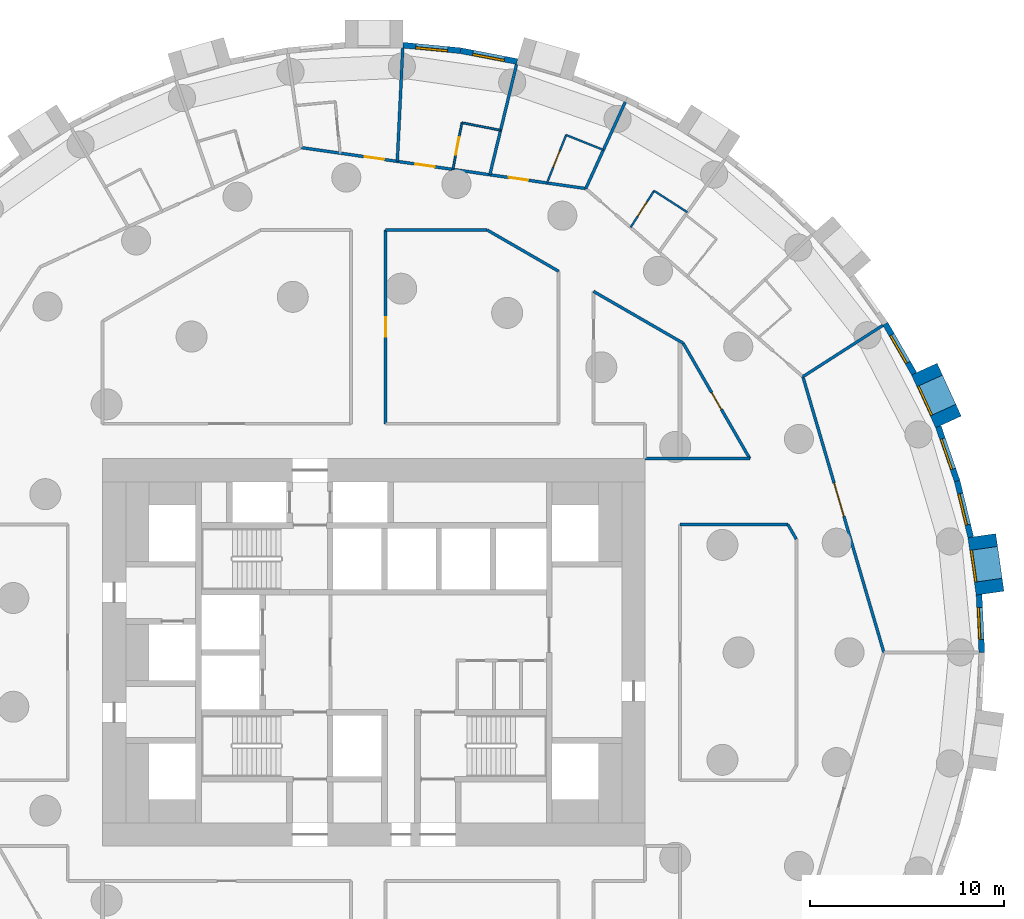
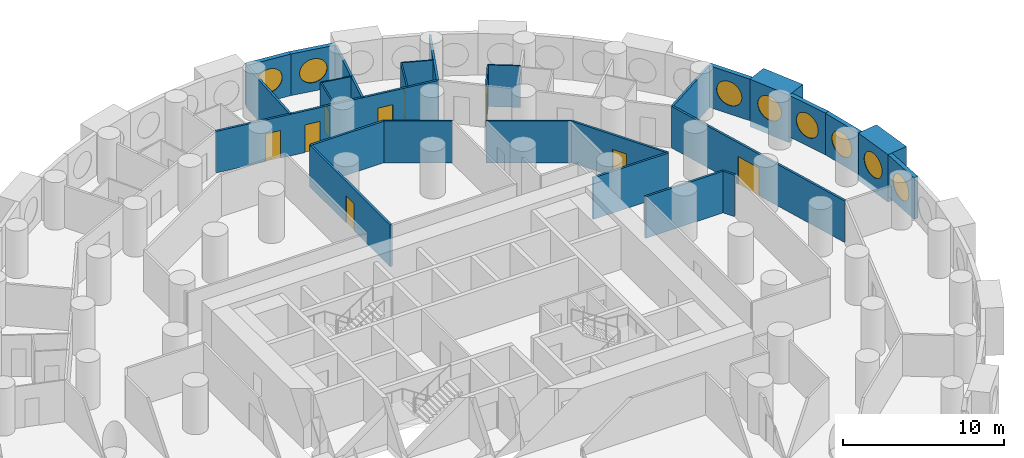
# One storey, part 9 of 12: 28 walls, 9 doors, 8 windows, 17 openings.
"""IFC4 building model written with IfcOpenShell, lengths in metres."""

from ifc_helpers import new_model, si_unit, direction, frame, frame_2d, origin, origin_2d, place, context, subcontext, project, spatial, rectangle, circle, extrude, material, layer, layer_set, type_object, element, fill, save


model = new_model("IFC4")

# Units and contexts
model_context = context("Model", 3, precision=1e-05, world=origin(), true_north=direction((0.0, 1.0)))
body_context = subcontext(model_context, "Body", "Model", "MODEL_VIEW")
ifc_project = project(units=[si_unit("LENGTHUNIT", "METRE"), si_unit("AREAUNIT", "SQUARE_METRE"), si_unit("VOLUMEUNIT", "CUBIC_METRE"), si_unit("PLANEANGLEUNIT", "RADIAN"), si_unit("MASSUNIT", "GRAM", prefix="KILO")], contexts=[model_context])

# Site, building, storey
site_placement = place(None, origin())
site = spatial("IfcSite", under=ifc_project, at=site_placement, CompositionType="ELEMENT")
building_placement = place(site_placement, origin())
building = spatial("IfcBuilding", under=site, at=building_placement, Name="Tracery Tower", CompositionType="ELEMENT")
storey_placement = place(building_placement, frame((0.0, 0.0, 57.0)))
storey = spatial("IfcBuildingStorey", under=building, at=storey_placement, Name="L13", CompositionType="ELEMENT", Elevation=57.0)

# Wall, opening, window
ifc_material_1 = material(Name="Precast concrete C50/60", Category="concrete")
ifc_layer_1 = layer(ifc_material_1, 1.449951171875)
ifc_layer_set_1 = layer_set([ifc_layer_1], Name="Deep-set bay unit 3000 x 3600, slab edge 450")
wall_type_1 = type_object("IfcWallType", Name="Deep-set bay unit 3000 x 3600, slab edge 450", PredefinedType="ELEMENTEDWALL", material=ifc_layer_set_1)
wall_1_placement = place(storey_placement, frame((31.802490234375, 3.05712890625, -0.449951171875), z_axis=(0.0, 0.0, 1.0), x_axis=(-0.142332746704, 0.989818866872, 0.0)))
wall_1 = element("IfcWall", 1, at=wall_1_placement, inside=storey, type_object=wall_type_1, Name="Deep-set bay unit 2 at L13", PredefinedType="ELEMENTEDWALL", context=body_context, shape_type="SweptSolid", body=[
    extrude(rectangle(XDim=3.0, YDim=1.449951171875, at=frame_2d((1.5, 0.0))), origin(), (0.0, 0.0, 1.0), 3.599853515625),
])
opening_1_placement = place(wall_1_placement, frame((1.5, 0.0, 2.0)))
opening_1 = element("IfcOpeningElement", 2, at=opening_1_placement, cuts=wall_1, Name="Opening WN1", PredefinedType="OPENING", context=body_context, shape_type="SweptSolid", body=[
    extrude(circle(Radius=0.9000244140625, at=origin_2d()), frame((0.0, 0.73486328125, 0.0), z_axis=(0.0, -1.0, 0.0), x_axis=(1.0, 0.0, 0.0)), (0.0, 0.0, 1.0), 1.469970703125),
])
ifc_material_2 = material(Name="Aluminium frame with tinted double glazing", Category="aluminium")
window_type = type_object("IfcWindowType", Name="Round window 1800", PartitioningType="SINGLE_PANEL", PredefinedType="WINDOW", material=ifc_material_2)
window_1_placement = place(opening_1_placement, origin())
window_1 = element("IfcWindow", 3, at=window_1_placement, inside=storey, type_object=window_type, Name="Round window 2 at L13", OverallHeight=1.800048828125, OverallWidth=1.800048828125, PartitioningType="SINGLE_PANEL", PredefinedType="WINDOW", context=body_context, shape_type="SweptSolid", body=[
    extrude(circle(Radius=0.9000244140625, at=origin_2d()), frame((0.0, 0.69482421875, 0.0), z_axis=(0.0, -1.0, 0.0), x_axis=(1.0, 0.0, 0.0)), (0.0, 0.0, 1.0), 0.10009765625),
])
fill(opening_1, window_1)

wall_2_placement = place(storey_placement, frame((29.653076171875, 11.89306640625, -0.449951171875), z_axis=(0.0, 0.0, 1.0), x_axis=(-0.415427028395, 0.909626508012, 0.0)))
wall_2 = element("IfcWall", 4, at=wall_2_placement, inside=storey, type_object=wall_type_1, Name="Deep-set bay unit 5 at L13", PredefinedType="ELEMENTEDWALL", context=body_context, shape_type="SweptSolid", body=[
    extrude(rectangle(XDim=3.000244140625, YDim=1.449951171875, at=frame_2d((1.5, 0.0))), origin(), (0.0, 0.0, 1.0), 3.599853515625),
])
opening_2_placement = place(wall_2_placement, frame((1.5, 0.0, 2.0)))
opening_2 = element("IfcOpeningElement", 5, at=opening_2_placement, cuts=wall_2, Name="Opening WN1", PredefinedType="OPENING", context=body_context, shape_type="SweptSolid", body=[
    extrude(circle(Radius=0.9000244140625, at=origin_2d()), frame((0.0, 0.73486328125, 0.0), z_axis=(0.0, -1.0, 0.0), x_axis=(1.0, 0.0, 0.0)), (0.0, 0.0, 1.0), 1.469970703125),
])
window_2_placement = place(opening_2_placement, origin())
window_2 = element("IfcWindow", 6, at=window_2_placement, inside=storey, type_object=window_type, Name="Round window 5 at L13", OverallHeight=1.800048828125, OverallWidth=1.800048828125, PartitioningType="SINGLE_PANEL", PredefinedType="WINDOW", context=body_context, shape_type="SweptSolid", body=[
    extrude(circle(Radius=0.9000244140625, at=origin_2d()), frame((0.0, 0.69482421875, 0.0), z_axis=(0.0, -1.0, 0.0), x_axis=(1.0, 0.0, 0.0)), (0.0, 0.0, 1.0), 0.10009765625),
])
fill(opening_2, window_2)

ifc_material_3 = material(Name="Precast concrete C50/60", Category="concrete")
ifc_layer_2 = layer(ifc_material_3, 0.300048828125)
ifc_layer_set_2 = layer_set([ifc_layer_2], Name="Facade panel 3000 x 3150")
wall_type_2 = type_object("IfcWallType", Name="Facade panel 3000 x 3150", PredefinedType="SOLIDWALL", material=ifc_layer_set_2)
wall_3_placement = place(storey_placement, frame((31.37451171875, 0.0, 0.0), z_axis=(0.0, 0.0, 1.0), x_axis=(-0.047604077644, 0.998866283239, 0.0)))
wall_3 = element("IfcWall", 7, at=wall_3_placement, inside=storey, type_object=wall_type_2, Name="Facade panel 1 at L13", PredefinedType="SOLIDWALL", context=body_context, shape_type="SweptSolid", body=[
    extrude(rectangle(XDim=2.979736328125, YDim=0.300048828125, at=frame_2d((1.48974609375, 0.0))), origin(), (0.0, 0.0, 1.0), 3.14990234375),
])
opening_3_placement = place(wall_3_placement, frame((1.48974609375, 0.0, 1.5498046875)))
opening_3 = element("IfcOpeningElement", 8, at=opening_3_placement, cuts=wall_3, Name="Opening WN1", PredefinedType="OPENING", context=body_context, shape_type="SweptSolid", body=[
    extrude(circle(Radius=0.9000244140625, at=origin_2d()), frame((0.0, 0.159912109375, 0.0), z_axis=(0.0, -1.0, 0.0), x_axis=(1.0, 0.0, 0.0)), (0.0, 0.0, 1.0), 0.320068359375),
])
window_3_placement = place(opening_3_placement, origin())
window_3 = element("IfcWindow", 9, at=window_3_placement, inside=storey, type_object=window_type, Name="Round window 1 at L13", OverallHeight=1.800048828125, OverallWidth=1.800048828125, PartitioningType="SINGLE_PANEL", PredefinedType="WINDOW", context=body_context, shape_type="SweptSolid", body=[
    extrude(circle(Radius=0.9000244140625, at=origin_2d()), frame((0.0, 0.1201171875, 0.0), z_axis=(0.0, -1.0, 0.0), x_axis=(1.0, 0.0, 0.0)), (0.0, 0.0, 1.0), 0.10009765625),
])
fill(opening_3, window_3)

wall_4_placement = place(storey_placement, frame((30.805908203125, 5.943603515625, 0.0), z_axis=(0.0, 0.0, 1.0), x_axis=(-0.235743081534, 0.971815414319, 0.0)))
wall_4 = element("IfcWall", 10, at=wall_4_placement, inside=storey, type_object=wall_type_2, Name="Facade panel 3 at L13", PredefinedType="SOLIDWALL", context=body_context, shape_type="SweptSolid", body=[
    extrude(rectangle(XDim=2.9794921875, YDim=0.300048828125, at=frame_2d((1.48974609375, 0.0))), origin(), (0.0, 0.0, 1.0), 3.14990234375),
])
opening_4_placement = place(wall_4_placement, frame((1.48974609375, 0.0, 1.5498046875)))
opening_4 = element("IfcOpeningElement", 11, at=opening_4_placement, cuts=wall_4, Name="Opening WN1", PredefinedType="OPENING", context=body_context, shape_type="SweptSolid", body=[
    extrude(circle(Radius=0.9000244140625, at=origin_2d()), frame((0.0, 0.159912109375, 0.0), z_axis=(0.0, -1.0, 0.0), x_axis=(1.0, 0.0, 0.0)), (0.0, 0.0, 1.0), 0.320068359375),
])
window_4_placement = place(opening_4_placement, origin())
window_4 = element("IfcWindow", 12, at=window_4_placement, inside=storey, type_object=window_type, Name="Round window 3 at L13", OverallHeight=1.800048828125, OverallWidth=1.800048828125, PartitioningType="SINGLE_PANEL", PredefinedType="WINDOW", context=body_context, shape_type="SweptSolid", body=[
    extrude(circle(Radius=0.9000244140625, at=origin_2d()), frame((0.0, 0.1201171875, 0.0), z_axis=(0.0, -1.0, 0.0), x_axis=(1.0, 0.0, 0.0)), (0.0, 0.0, 1.0), 0.10009765625),
])
fill(opening_4, window_4)

wall_5_placement = place(storey_placement, frame((30.103515625, 8.839111328125, 0.0), z_axis=(0.0, 0.0, 1.0), x_axis=(-0.327071167136, 0.944999709856, 0.0)))
wall_5 = element("IfcWall", 13, at=wall_5_placement, inside=storey, type_object=wall_type_2, Name="Facade panel 4 at L13", PredefinedType="SOLIDWALL", context=body_context, shape_type="SweptSolid", body=[
    extrude(rectangle(XDim=2.979736328125, YDim=0.300048828125, at=frame_2d((1.48974609375, 0.0))), origin(), (0.0, 0.0, 1.0), 3.14990234375),
])
opening_5_placement = place(wall_5_placement, frame((1.48974609375, 0.0, 1.5498046875)))
opening_5 = element("IfcOpeningElement", 14, at=opening_5_placement, cuts=wall_5, Name="Opening WN1", PredefinedType="OPENING", context=body_context, shape_type="SweptSolid", body=[
    extrude(circle(Radius=0.9000244140625, at=origin_2d()), frame((0.0, 0.159912109375, 0.0), z_axis=(0.0, -1.0, 0.0), x_axis=(1.0, 0.0, 0.0)), (0.0, 0.0, 1.0), 0.320068359375),
])
window_5_placement = place(opening_5_placement, origin())
window_5 = element("IfcWindow", 15, at=window_5_placement, inside=storey, type_object=window_type, Name="Round window 4 at L13", OverallHeight=1.800048828125, OverallWidth=1.800048828125, PartitioningType="SINGLE_PANEL", PredefinedType="WINDOW", context=body_context, shape_type="SweptSolid", body=[
    extrude(circle(Radius=0.9000244140625, at=origin_2d()), frame((0.0, 0.1201171875, 0.0), z_axis=(0.0, -1.0, 0.0), x_axis=(1.0, 0.0, 0.0)), (0.0, 0.0, 1.0), 0.10009765625),
])
fill(opening_5, window_5)

wall_6_placement = place(storey_placement, frame((27.8837890625, 14.3818359375, 0.0), z_axis=(0.0, 0.0, 1.0), x_axis=(-0.500025049464, 0.866010940986, 0.0)))
wall_6 = element("IfcWall", 16, at=wall_6_placement, inside=storey, type_object=wall_type_2, Name="Facade panel 6 at L13", PredefinedType="SOLIDWALL", context=body_context, shape_type="SweptSolid", body=[
    extrude(rectangle(XDim=2.979736328125, YDim=0.300048828125, at=frame_2d((1.48974609375, 0.0))), origin(), (0.0, 0.0, 1.0), 3.14990234375),
])
opening_6_placement = place(wall_6_placement, frame((1.48974609375, 0.0, 1.5498046875)))
opening_6 = element("IfcOpeningElement", 17, at=opening_6_placement, cuts=wall_6, Name="Opening WN1", PredefinedType="OPENING", context=body_context, shape_type="SweptSolid", body=[
    extrude(circle(Radius=0.9000244140625, at=origin_2d()), frame((0.0, 0.159912109375, 0.0), z_axis=(0.0, -1.0, 0.0), x_axis=(1.0, 0.0, 0.0)), (0.0, 0.0, 1.0), 0.320068359375),
])
window_6_placement = place(opening_6_placement, origin())
window_6 = element("IfcWindow", 18, at=window_6_placement, inside=storey, type_object=window_type, Name="Round window 6 at L13", OverallHeight=1.800048828125, OverallWidth=1.800048828125, PartitioningType="SINGLE_PANEL", PredefinedType="WINDOW", context=body_context, shape_type="SweptSolid", body=[
    extrude(circle(Radius=0.9000244140625, at=origin_2d()), frame((0.0, 0.1201171875, 0.0), z_axis=(0.0, -1.0, 0.0), x_axis=(1.0, 0.0, 0.0)), (0.0, 0.0, 1.0), 0.10009765625),
])
fill(opening_6, window_6)

wall_7_placement = place(storey_placement, frame((7.390869140625, 30.4912109375, 0.0), z_axis=(0.0, 0.0, 1.0), x_axis=(-0.981924535406, 0.189272836848, 0.0)))
wall_7 = element("IfcWall", 19, at=wall_7_placement, inside=storey, type_object=wall_type_2, Name="Facade panel 15 at L13", PredefinedType="SOLIDWALL", context=body_context, shape_type="SweptSolid", body=[
    extrude(rectangle(XDim=2.979736328125, YDim=0.300048828125, at=frame_2d((1.48974609375, 0.0))), origin(), (0.0, 0.0, 1.0), 3.14990234375),
])
opening_7_placement = place(wall_7_placement, frame((1.48974609375, 0.0, 1.5498046875)))
opening_7 = element("IfcOpeningElement", 20, at=opening_7_placement, cuts=wall_7, Name="Opening WN1", PredefinedType="OPENING", context=body_context, shape_type="SweptSolid", body=[
    extrude(circle(Radius=0.9000244140625, at=origin_2d()), frame((0.0, 0.159912109375, 0.0), z_axis=(0.0, -1.0, 0.0), x_axis=(1.0, 0.0, 0.0)), (0.0, 0.0, 1.0), 0.320068359375),
])
window_7_placement = place(opening_7_placement, origin())
window_7 = element("IfcWindow", 21, at=window_7_placement, inside=storey, type_object=window_type, Name="Round window 15 at L13", OverallHeight=1.800048828125, OverallWidth=1.800048828125, PartitioningType="SINGLE_PANEL", PredefinedType="WINDOW", context=body_context, shape_type="SweptSolid", body=[
    extrude(circle(Radius=0.9000244140625, at=origin_2d()), frame((0.0, 0.1201171875, 0.0), z_axis=(0.0, -1.0, 0.0), x_axis=(1.0, 0.0, 0.0)), (0.0, 0.0, 1.0), 0.10009765625),
])
fill(opening_7, window_7)

wall_8_placement = place(storey_placement, frame((4.465087890625, 31.05517578125, 0.0), z_axis=(0.0, 0.0, 1.0), x_axis=(-0.995473351551, 0.095041077185, 0.0)))
wall_8 = element("IfcWall", 22, at=wall_8_placement, inside=storey, type_object=wall_type_2, Name="Facade panel 16 at L13", PredefinedType="SOLIDWALL", context=body_context, shape_type="SweptSolid", body=[
    extrude(rectangle(XDim=2.979736328125, YDim=0.300048828125, at=frame_2d((1.48974609375, 0.0))), origin(), (0.0, 0.0, 1.0), 3.14990234375),
])
opening_8_placement = place(wall_8_placement, frame((1.48974609375, 0.0, 1.5498046875)))
opening_8 = element("IfcOpeningElement", 23, at=opening_8_placement, cuts=wall_8, Name="Opening WN1", PredefinedType="OPENING", context=body_context, shape_type="SweptSolid", body=[
    extrude(circle(Radius=0.9000244140625, at=origin_2d()), frame((0.0, 0.159912109375, 0.0), z_axis=(0.0, -1.0, 0.0), x_axis=(1.0, 0.0, 0.0)), (0.0, 0.0, 1.0), 0.320068359375),
])
window_8_placement = place(opening_8_placement, origin())
window_8 = element("IfcWindow", 24, at=window_8_placement, inside=storey, type_object=window_type, Name="Round window 16 at L13", OverallHeight=1.800048828125, OverallWidth=1.800048828125, PartitioningType="SINGLE_PANEL", PredefinedType="WINDOW", context=body_context, shape_type="SweptSolid", body=[
    extrude(circle(Radius=0.9000244140625, at=origin_2d()), frame((0.0, 0.1201171875, 0.0), z_axis=(0.0, -1.0, 0.0), x_axis=(1.0, 0.0, 0.0)), (0.0, 0.0, 1.0), 0.10009765625),
])
fill(opening_8, window_8)

# Wall
ifc_material_4 = material(Name="Plasterboard on steel studs", Category="steel")
ifc_layer_3 = layer(ifc_material_4, 0.10009765625)
ifc_layer_set_3 = layer_set([ifc_layer_3], Name="Partition 100 wet wall")
wall_type_3 = type_object("IfcWallType", Name="Partition 100 wet wall", PredefinedType="PARTITIONING", material=ifc_layer_set_3)
wall_9_placement = place(storey_placement, frame((14.4599609375, 23.821044921875, 0.0), z_axis=(0.0, 0.0, 1.0), x_axis=(0.841135728185, -0.540824081168, 0.0)))
element("IfcWall", 25, at=wall_9_placement, inside=storey, type_object=wall_type_3, Name="Wet wall RA3-068", PredefinedType="PARTITIONING", context=body_context, shape_type="SweptSolid", body=[
    extrude(rectangle(XDim=2.041259765625, YDim=0.10009765625, at=frame_2d((1.0205078125, 0.0))), origin(), (0.0, 0.0, 1.0), 3.14990234375),
])

# Wall, opening, door
wall_10_placement = place(storey_placement, frame((13.248046875, 21.93505859375, 0.0), z_axis=(0.0, 0.0, 1.0), x_axis=(0.540597960994, 0.841281073464, 0.0)))
wall_10 = element("IfcWall", 26, at=wall_10_placement, inside=storey, type_object=wall_type_3, Name="Wet wall RA3-069", PredefinedType="PARTITIONING", context=body_context, shape_type="SweptSolid", body=[
    extrude(rectangle(XDim=2.24169921875, YDim=0.10009765625, at=frame_2d((1.120849609375, 0.0))), origin(), (0.0, 0.0, 1.0), 3.14990234375),
])
opening_9_placement = place(wall_10_placement, frame((0.6708984375, 0.0, 0.0)))
opening_9 = element("IfcOpeningElement", 27, at=opening_9_placement, cuts=wall_10, Name="Opening RA3-16", PredefinedType="OPENING", context=body_context, shape_type="SweptSolid", body=[
    extrude(rectangle(XDim=0.89990234375, YDim=2.0400390625, at=frame_2d((0.449951171875, 1.02001953125))), frame((0.0, 0.050048828125, 0.0), z_axis=(0.0, -1.0, 0.0), x_axis=(1.0, 0.0, 0.0)), (0.0, 0.0, 1.0), 0.10009765625),
])
ifc_material_5 = material(Name="Timber door leaf", Category="wood")
door_type_1 = type_object("IfcDoorType", Name="Door en-suite 900", OperationType="NOTDEFINED", PredefinedType="DOOR", material=ifc_material_5)
door_1_placement = place(opening_9_placement, origin())
door_1 = element("IfcDoor", 28, at=door_1_placement, inside=storey, type_object=door_type_1, Name="En-suite door RA3-16", OperationType="SINGLE_SWING_RIGHT", OverallHeight=2.0400390625, OverallWidth=0.89990234375, PredefinedType="DOOR", context=body_context, shape_type="SweptSolid", body=[
    extrude(rectangle(XDim=0.89990234375, YDim=2.0400390625, at=frame_2d((0.449951171875, 1.02001953125))), frame((0.0, 0.02490234375, 0.0), z_axis=(0.0, -1.0, 0.0), x_axis=(1.0, 0.0, 0.0)), (0.0, 0.0, 1.0), 0.050048828125),
])
fill(opening_9, door_1)

# Wall
wall_11_placement = place(storey_placement, frame((9.9208984375, 26.7041015625, 0.0), z_axis=(0.0, 0.0, 1.0), x_axis=(0.928346586681, -0.37171577179, 0.0)))
element("IfcWall", 29, at=wall_11_placement, inside=storey, type_object=wall_type_3, Name="Wet wall RA3-071", PredefinedType="PARTITIONING", context=body_context, shape_type="SweptSolid", body=[
    extrude(rectangle(XDim=2.071533203125, YDim=0.10009765625, at=frame_2d((1.03564453125, 0.0))), origin(), (0.0, 0.0, 1.0), 3.14990234375),
])

# Wall, opening, door
wall_12_placement = place(storey_placement, frame((8.929931640625, 24.22802734375, 0.0), z_axis=(0.0, 0.0, 1.0), x_axis=(0.371564281805, 0.928407229876, 0.0)))
wall_12 = element("IfcWall", 30, at=wall_12_placement, inside=storey, type_object=wall_type_3, Name="Wet wall RA3-072", PredefinedType="PARTITIONING", context=body_context, shape_type="SweptSolid", body=[
    extrude(rectangle(XDim=2.6669921875, YDim=0.10009765625, at=frame_2d((1.33349609375, 0.0))), origin(), (0.0, 0.0, 1.0), 3.14990234375),
])
opening_10_placement = place(wall_12_placement, frame((0.884033203125, 0.0, 0.0)))
opening_10 = element("IfcOpeningElement", 31, at=opening_10_placement, cuts=wall_12, Name="Opening RA3-18", PredefinedType="OPENING", context=body_context, shape_type="SweptSolid", body=[
    extrude(rectangle(XDim=0.89990234375, YDim=2.0400390625, at=frame_2d((0.449951171875, 1.02001953125))), frame((0.0, 0.050048828125, 0.0), z_axis=(0.0, -1.0, 0.0), x_axis=(1.0, 0.0, 0.0)), (0.0, 0.0, 1.0), 0.10009765625),
])
door_2_placement = place(opening_10_placement, origin())
door_2 = element("IfcDoor", 32, at=door_2_placement, inside=storey, type_object=door_type_1, Name="En-suite door RA3-18", OperationType="SINGLE_SWING_LEFT", OverallHeight=2.0400390625, OverallWidth=0.89990234375, PredefinedType="DOOR", context=body_context, shape_type="SweptSolid", body=[
    extrude(rectangle(XDim=0.89990234375, YDim=2.0400390625, at=frame_2d((0.449951171875, 1.02001953125))), frame((0.0, 0.02490234375, 0.0), z_axis=(0.0, -1.0, 0.0), x_axis=(1.0, 0.0, 0.0)), (0.0, 0.0, 1.0), 0.050048828125),
])
fill(opening_10, door_2)

# Wall
wall_13_placement = place(storey_placement, frame((4.541015625, 27.333984375, 0.0), z_axis=(0.0, 0.0, 1.0), x_axis=(0.981919009751, -0.189301501024, 0.0)))
element("IfcWall", 33, at=wall_13_placement, inside=storey, type_object=wall_type_3, Name="Wet wall RA3-074", PredefinedType="PARTITIONING", context=body_context, shape_type="SweptSolid", body=[
    extrude(rectangle(XDim=2.033935546875, YDim=0.10009765625, at=frame_2d((1.01708984375, 0.0))), origin(), (0.0, 0.0, 1.0), 3.14990234375),
])

# Wall, opening, door
wall_14_placement = place(storey_placement, frame((4.076904296875, 24.926025390625, 0.0), z_axis=(0.0, 0.0, 1.0), x_axis=(0.18925724964, 0.981927539821, 0.0)))
wall_14 = element("IfcWall", 34, at=wall_14_placement, inside=storey, type_object=wall_type_3, Name="Wet wall RA3-075", PredefinedType="PARTITIONING", context=body_context, shape_type="SweptSolid", body=[
    extrude(rectangle(XDim=2.452392578125, YDim=0.10009765625, at=frame_2d((1.22607421875, 0.0))), origin(), (0.0, 0.0, 1.0), 3.14990234375),
])
opening_11_placement = place(wall_14_placement, frame((0.7763671875, 0.0, 0.0)))
opening_11 = element("IfcOpeningElement", 35, at=opening_11_placement, cuts=wall_14, Name="Opening RA3-20", PredefinedType="OPENING", context=body_context, shape_type="SweptSolid", body=[
    extrude(rectangle(XDim=0.89990234375, YDim=2.0400390625, at=frame_2d((0.449951171875, 1.02001953125))), frame((0.0, 0.050048828125, 0.0), z_axis=(0.0, -1.0, 0.0), x_axis=(1.0, 0.0, 0.0)), (0.0, 0.0, 1.0), 0.10009765625),
])
door_3_placement = place(opening_11_placement, origin())
door_3 = element("IfcDoor", 36, at=door_3_placement, inside=storey, type_object=door_type_1, Name="En-suite door RA3-20", OperationType="SINGLE_SWING_LEFT", OverallHeight=2.0400390625, OverallWidth=0.89990234375, PredefinedType="DOOR", context=body_context, shape_type="SweptSolid", body=[
    extrude(rectangle(XDim=0.89990234375, YDim=2.0400390625, at=frame_2d((0.449951171875, 1.02001953125))), frame((0.0, 0.02490234375, 0.0), z_axis=(0.0, -1.0, 0.0), x_axis=(1.0, 0.0, 0.0)), (0.0, 0.0, 1.0), 0.050048828125),
])
fill(opening_11, door_3)

# Walls
ifc_material_6 = material(Name="Plasterboard on steel studs", Category="steel")
ifc_layer_4 = layer(ifc_material_6, 0.14990234375)
ifc_layer_set_4 = layer_set([ifc_layer_4], Name="Partition 150 acoustic unit wall")
wall_type_4 = type_object("IfcWallType", Name="Partition 150 acoustic unit wall", PredefinedType="PARTITIONING", material=ifc_layer_set_4)
wall_15_placement = place(storey_placement, frame((22.14111328125, 14.22900390625, 0.0), z_axis=(0.0, 0.0, 1.0), x_axis=(0.841325591791, 0.540528675093, 0.0)))
element("IfcWall", 37, at=wall_15_placement, inside=storey, type_object=wall_type_4, Name="Unit wall RA3-060", PredefinedType="PARTITIONING", context=body_context, shape_type="SweptSolid", body=[
    extrude(rectangle(XDim=4.905517578125, YDim=0.14990234375, at=frame_2d((2.45263671875, 0.0))), origin(), (0.0, 0.0, 1.0), 3.14990234375),
])
wall_16_placement = place(storey_placement, frame((10.93408203125, 23.939453125, 0.0), z_axis=(0.0, 0.0, 1.0), x_axis=(0.415144641481, 0.909755421336, 0.0)))
element("IfcWall", 38, at=wall_16_placement, inside=storey, type_object=wall_type_4, Name="Unit wall RA3-070", PredefinedType="PARTITIONING", context=body_context, shape_type="SweptSolid", body=[
    extrude(rectangle(XDim=4.906494140625, YDim=0.14990234375, at=frame_2d((2.453125, 0.0))), origin(), (0.0, 0.0, 1.0), 3.14990234375),
])
wall_17_placement = place(storey_placement, frame((5.9814453125, 24.65185546875, 0.0), z_axis=(0.0, 0.0, 1.0), x_axis=(0.235555883074, 0.971860805851, 0.0)))
element("IfcWall", 39, at=wall_17_placement, inside=storey, type_object=wall_type_4, Name="Unit wall RA3-073", PredefinedType="PARTITIONING", context=body_context, shape_type="SweptSolid", body=[
    extrude(rectangle(XDim=5.85693359375, YDim=0.14990234375, at=frame_2d((2.928466796875, 0.0))), origin(), (0.0, 0.0, 1.0), 3.14990234375),
])
wall_18_placement = place(storey_placement, frame((1.20703125, 25.339111328125, 0.0), z_axis=(0.0, 0.0, 1.0), x_axis=(0.04789788494, 0.99885223763, 0.0)))
element("IfcWall", 40, at=wall_18_placement, inside=storey, type_object=wall_type_4, Name="Unit wall RA3-076", PredefinedType="PARTITIONING", context=body_context, shape_type="SweptSolid", body=[
    extrude(rectangle(XDim=5.856689453125, YDim=0.14990234375, at=frame_2d((2.92822265625, 0.0))), origin(), (0.0, 0.0, 1.0), 3.14990234375),
])
ifc_material_7 = material(Name="Plasterboard on steel studs", Category="steel")
ifc_layer_5 = layer(ifc_material_7, 0.14990234375)
ifc_layer_set_5 = layer_set([ifc_layer_5], Name="Partition 150 corridor wall")
wall_type_5 = type_object("IfcWallType", Name="Partition 150 corridor wall", PredefinedType="PARTITIONING", material=ifc_layer_set_5)
wall_19_placement = place(storey_placement, frame((14.0, 10.0, 0.0), z_axis=(0.0, 0.0, 1.0), x_axis=(1.0, 0.0, 0.0)))
element("IfcWall", 41, at=wall_19_placement, inside=storey, type_object=wall_type_5, Name="Corridor wall RA3-010", PredefinedType="PARTITIONING", context=body_context, shape_type="SweptSolid", body=[
    extrude(rectangle(XDim=5.40087890625, YDim=0.14990234375, at=frame_2d((2.700439453125, 0.0))), origin(), (0.0, 0.0, 1.0), 3.14990234375),
])
wall_20_placement = place(storey_placement, frame((21.364013671875, 6.60009765625, 0.0), z_axis=(0.0, 0.0, 1.0), x_axis=(0.500277597875, -0.865865073245, 0.0)))
element("IfcWall", 42, at=wall_20_placement, inside=storey, type_object=wall_type_5, Name="Corridor wall RA3-018", PredefinedType="PARTITIONING", context=body_context, shape_type="SweptSolid", body=[
    extrude(rectangle(XDim=0.87548828125, YDim=0.14990234375, at=frame_2d((0.437744140625, 0.0))), origin(), (0.0, 0.0, 1.0), 3.14990234375),
])
wall_21_placement = place(storey_placement, frame((15.800048828125, 6.60009765625, 0.0), z_axis=(0.0, 0.0, 1.0), x_axis=(1.0, 0.0, 0.0)))
element("IfcWall", 43, at=wall_21_placement, inside=storey, type_object=wall_type_5, Name="Corridor wall RA3-019", PredefinedType="PARTITIONING", context=body_context, shape_type="SweptSolid", body=[
    extrude(rectangle(XDim=5.56396484375, YDim=0.14990234375, at=frame_2d((2.781982421875, 0.0))), origin(), (0.0, 0.0, 1.0), 3.14990234375),
])

# Wall, opening, door
wall_22_placement = place(storey_placement, frame((15.9599609375, 15.9599609375, 0.0), z_axis=(0.0, 0.0, 1.0), x_axis=(0.499992689227, -0.86602962462, 0.0)))
wall_22 = element("IfcWall", 44, at=wall_22_placement, inside=storey, type_object=wall_type_5, Name="Corridor wall RA3-020", PredefinedType="PARTITIONING", context=body_context, shape_type="SweptSolid", body=[
    extrude(rectangle(XDim=6.8818359375, YDim=0.14990234375, at=frame_2d((3.44091796875, 0.0))), origin(), (0.0, 0.0, 1.0), 3.14990234375),
])
opening_12_placement = place(wall_22_placement, frame((2.94091796875, 0.0, 0.0)))
opening_12 = element("IfcOpeningElement", 45, at=opening_12_placement, cuts=wall_22, Name="Opening RA3-09", PredefinedType="OPENING", context=body_context, shape_type="SweptSolid", body=[
    extrude(rectangle(XDim=1.0, YDim=2.0400390625, at=frame_2d((0.5, 1.02001953125))), frame((0.0, 0.074951171875, 0.0), z_axis=(0.0, -1.0, 0.0), x_axis=(1.0, 0.0, 0.0)), (0.0, 0.0, 1.0), 0.14990234375),
])
ifc_material_8 = material(Name="Timber door leaf", Category="wood")
door_type_2 = type_object("IfcDoorType", Name="Door communal room 1000", OperationType="NOTDEFINED", PredefinedType="DOOR", material=ifc_material_8)
door_4_placement = place(opening_12_placement, origin())
door_4 = element("IfcDoor", 46, at=door_4_placement, inside=storey, type_object=door_type_2, Name="Communal room door RA3-09", OperationType="SINGLE_SWING_LEFT", OverallHeight=2.0400390625, OverallWidth=1.0, PredefinedType="DOOR", context=body_context, shape_type="SweptSolid", body=[
    extrude(rectangle(XDim=1.0, YDim=2.0400390625, at=frame_2d((0.5, 1.02001953125))), frame((0.0, 0.02490234375, 0.0), z_axis=(0.0, -1.0, 0.0), x_axis=(1.0, 0.0, 0.0)), (0.0, 0.0, 1.0), 0.050048828125),
])
fill(opening_12, door_4)

wall_23_placement = place(storey_placement, frame((22.14111328125, 14.22900390625, 0.0), z_axis=(0.0, 0.0, 1.0), x_axis=(0.281730446162, -0.959493593363, 0.0)))
wall_23 = element("IfcWall", 47, at=wall_23_placement, inside=storey, type_object=wall_type_5, Name="Corridor wall RA3-021", PredefinedType="PARTITIONING", context=body_context, shape_type="SweptSolid", body=[
    extrude(rectangle(XDim=14.82958984375, YDim=0.14990234375, at=frame_2d((7.414794921875, 0.0))), origin(), (0.0, 0.0, 1.0), 3.14990234375),
])
opening_13_placement = place(wall_23_placement, frame((5.715087890625, 0.0, 0.0)))
opening_13 = element("IfcOpeningElement", 48, at=opening_13_placement, cuts=wall_23, Name="Opening RA3-11", PredefinedType="OPENING", context=body_context, shape_type="SweptSolid", body=[
    extrude(rectangle(XDim=1.800048828125, YDim=2.10009765625, at=frame_2d((0.89990234375, 1.050048828125))), frame((0.0, 0.074951171875, 0.0), z_axis=(0.0, -1.0, 0.0), x_axis=(1.0, 0.0, 0.0)), (0.0, 0.0, 1.0), 0.14990234375),
])
ifc_material_9 = material(Name="Timber door leaf", Category="wood")
door_type_3 = type_object("IfcDoorType", Name="Door double lounge 1800", OperationType="NOTDEFINED", PredefinedType="DOOR", material=ifc_material_9)
door_5_placement = place(opening_13_placement, origin())
door_5 = element("IfcDoor", 49, at=door_5_placement, inside=storey, type_object=door_type_3, Name="Double lounge door RA3-11", OperationType="DOUBLE_DOOR_SINGLE_SWING", OverallHeight=2.10009765625, OverallWidth=1.800048828125, PredefinedType="DOOR", context=body_context, shape_type="SweptSolid", body=[
    extrude(rectangle(XDim=1.800048828125, YDim=2.10009765625, at=frame_2d((0.89990234375, 1.050048828125))), frame((0.0, 0.02490234375, 0.0), z_axis=(0.0, -1.0, 0.0), x_axis=(1.0, 0.0, 0.0)), (0.0, 0.0, 1.0), 0.050048828125),
])
fill(opening_13, door_5)

# Walls
wall_24_placement = place(storey_placement, frame((5.842041015625, 21.802001953125, 0.0), z_axis=(0.0, 0.0, 1.0), x_axis=(0.865983505205, -0.500072563448, 0.0)))
element("IfcWall", 50, at=wall_24_placement, inside=storey, type_object=wall_type_5, Name="Corridor wall RA3-030", PredefinedType="PARTITIONING", context=body_context, shape_type="SweptSolid", body=[
    extrude(rectangle(XDim=4.265380859375, YDim=0.14990234375, at=frame_2d((2.1328125, 0.0))), origin(), (0.0, 0.0, 1.0), 3.14990234375),
])
wall_25_placement = place(storey_placement, frame((0.60791015625, 21.802001953125, 0.0), z_axis=(0.0, 0.0, 1.0), x_axis=(1.0, 0.0, 0.0)))
element("IfcWall", 51, at=wall_25_placement, inside=storey, type_object=wall_type_5, Name="Corridor wall RA3-031", PredefinedType="PARTITIONING", context=body_context, shape_type="SweptSolid", body=[
    extrude(rectangle(XDim=5.234130859375, YDim=0.14990234375, at=frame_2d((2.6171875, 0.0))), origin(), (0.0, 0.0, 1.0), 3.14990234375),
])

# Wall, opening, door
wall_26_placement = place(storey_placement, frame((0.60791015625, 11.800048828125, 0.0), z_axis=(0.0, 0.0, 1.0), x_axis=(0.0, 1.0, 0.0)))
wall_26 = element("IfcWall", 52, at=wall_26_placement, inside=storey, type_object=wall_type_5, Name="Corridor wall RA3-032", PredefinedType="PARTITIONING", context=body_context, shape_type="SweptSolid", body=[
    extrude(rectangle(XDim=10.001953125, YDim=0.14990234375, at=frame_2d((5.0009765625, 0.0))), origin(), (0.0, 0.0, 1.0), 3.14990234375),
])
opening_14_placement = place(wall_26_placement, frame((4.5009765625, 0.0, 0.0)))
opening_14 = element("IfcOpeningElement", 53, at=opening_14_placement, cuts=wall_26, Name="Opening RA3-02", PredefinedType="OPENING", context=body_context, shape_type="SweptSolid", body=[
    extrude(rectangle(XDim=1.0, YDim=2.0400390625, at=frame_2d((0.5, 1.02001953125))), frame((0.0, 0.074951171875, 0.0), z_axis=(0.0, -1.0, 0.0), x_axis=(1.0, 0.0, 0.0)), (0.0, 0.0, 1.0), 0.14990234375),
])
door_6_placement = place(opening_14_placement, origin())
door_6 = element("IfcDoor", 54, at=door_6_placement, inside=storey, type_object=door_type_2, Name="Communal room door RA3-02", OperationType="SINGLE_SWING_RIGHT", OverallHeight=2.0400390625, OverallWidth=1.0, PredefinedType="DOOR", context=body_context, shape_type="SweptSolid", body=[
    extrude(rectangle(XDim=1.0, YDim=2.0400390625, at=frame_2d((0.5, 1.02001953125))), frame((0.0, 0.02490234375, 0.0), z_axis=(0.0, -1.0, 0.0), x_axis=(1.0, 0.0, 0.0)), (0.0, 0.0, 1.0), 0.050048828125),
])
fill(opening_14, door_6)

# Wall
wall_27_placement = place(storey_placement, frame((11.3359375, 18.6298828125, 0.0), z_axis=(0.0, 0.0, 1.0), x_axis=(0.866056911224, -0.499945423543, 0.0)))
element("IfcWall", 55, at=wall_27_placement, inside=storey, type_object=wall_type_5, Name="Corridor wall RA3-033", PredefinedType="PARTITIONING", context=body_context, shape_type="SweptSolid", body=[
    extrude(rectangle(XDim=5.33935546875, YDim=0.14990234375, at=frame_2d((2.669677734375, 0.0))), origin(), (0.0, 0.0, 1.0), 3.14990234375),
])

# Wall, openings, doors
wall_28_placement = place(storey_placement, frame((-3.74560546875, 26.0537109375, 0.0), z_axis=(0.0, 0.0, 1.0), x_axis=(0.989780545379, -0.142598990138, 0.0)))
wall_28 = element("IfcWall", 56, at=wall_28_placement, inside=storey, type_object=wall_type_5, Name="Corridor wall RA3-035", PredefinedType="PARTITIONING", context=body_context, shape_type="SweptSolid", body=[
    extrude(rectangle(XDim=14.830078125, YDim=0.14990234375, at=frame_2d((7.4150390625, 0.0))), origin(), (0.0, 0.0, 1.0), 3.14990234375),
])
opening_15_placement = place(wall_28_placement, frame((10.81689453125, 0.0, 0.0)))
opening_15 = element("IfcOpeningElement", 57, at=opening_15_placement, cuts=wall_28, Name="Opening RA3-19", PredefinedType="OPENING", context=body_context, shape_type="SweptSolid", body=[
    extrude(rectangle(XDim=1.0, YDim=2.10009765625, at=frame_2d((0.5, 1.050048828125))), frame((0.0, 0.074951171875, 0.0), z_axis=(0.0, -1.0, 0.0), x_axis=(1.0, 0.0, 0.0)), (0.0, 0.0, 1.0), 0.14990234375),
])
opening_16_placement = place(wall_28_placement, frame((5.9541015625, 0.0, 0.0)))
opening_16 = element("IfcOpeningElement", 58, at=opening_16_placement, cuts=wall_28, Name="Opening RA3-21", PredefinedType="OPENING", context=body_context, shape_type="SweptSolid", body=[
    extrude(rectangle(XDim=1.0, YDim=2.10009765625, at=frame_2d((0.5, 1.050048828125))), frame((0.0, 0.074951171875, 0.0), z_axis=(0.0, -1.0, 0.0), x_axis=(1.0, 0.0, 0.0)), (0.0, 0.0, 1.0), 0.14990234375),
])
opening_17_placement = place(wall_28_placement, frame((3.313720703125, 0.0, 0.0)))
opening_17 = element("IfcOpeningElement", 59, at=opening_17_placement, cuts=wall_28, Name="Opening RA3-23", PredefinedType="OPENING", context=body_context, shape_type="SweptSolid", body=[
    extrude(rectangle(XDim=1.0, YDim=2.10009765625, at=frame_2d((0.5, 1.050048828125))), frame((0.0, 0.074951171875, 0.0), z_axis=(0.0, -1.0, 0.0), x_axis=(1.0, 0.0, 0.0)), (0.0, 0.0, 1.0), 0.14990234375),
])
ifc_material_10 = material(Name="Timber door leaf", Category="wood")
door_type_4 = type_object("IfcDoorType", Name="Door unit entrance 1000", OperationType="NOTDEFINED", PredefinedType="DOOR", material=ifc_material_10)
door_7_placement = place(opening_15_placement, origin())
door_7 = element("IfcDoor", 60, at=door_7_placement, inside=storey, type_object=door_type_4, Name="Unit entrance door RA3-19", OperationType="SINGLE_SWING_RIGHT", OverallHeight=2.10009765625, OverallWidth=1.0, PredefinedType="DOOR", context=body_context, shape_type="SweptSolid", body=[
    extrude(rectangle(XDim=1.0, YDim=2.10009765625, at=frame_2d((0.5, 1.050048828125))), frame((0.0, 0.02490234375, 0.0), z_axis=(0.0, -1.0, 0.0), x_axis=(1.0, 0.0, 0.0)), (0.0, 0.0, 1.0), 0.050048828125),
])
fill(opening_15, door_7)
door_8_placement = place(opening_16_placement, origin())
door_8 = element("IfcDoor", 61, at=door_8_placement, inside=storey, type_object=door_type_4, Name="Unit entrance door RA3-21", OperationType="SINGLE_SWING_RIGHT", OverallHeight=2.10009765625, OverallWidth=1.0, PredefinedType="DOOR", context=body_context, shape_type="SweptSolid", body=[
    extrude(rectangle(XDim=1.0, YDim=2.10009765625, at=frame_2d((0.5, 1.050048828125))), frame((0.0, 0.02490234375, 0.0), z_axis=(0.0, -1.0, 0.0), x_axis=(1.0, 0.0, 0.0)), (0.0, 0.0, 1.0), 0.050048828125),
])
fill(opening_16, door_8)
door_9_placement = place(opening_17_placement, origin())
door_9 = element("IfcDoor", 62, at=door_9_placement, inside=storey, type_object=door_type_4, Name="Unit entrance door RA3-23", OperationType="SINGLE_SWING_RIGHT", OverallHeight=2.10009765625, OverallWidth=1.0, PredefinedType="DOOR", context=body_context, shape_type="SweptSolid", body=[
    extrude(rectangle(XDim=1.0, YDim=2.10009765625, at=frame_2d((0.5, 1.050048828125))), frame((0.0, 0.02490234375, 0.0), z_axis=(0.0, -1.0, 0.0), x_axis=(1.0, 0.0, 0.0)), (0.0, 0.0, 1.0), 0.050048828125),
])
fill(opening_17, door_9)

save(model, "model.ifc")
